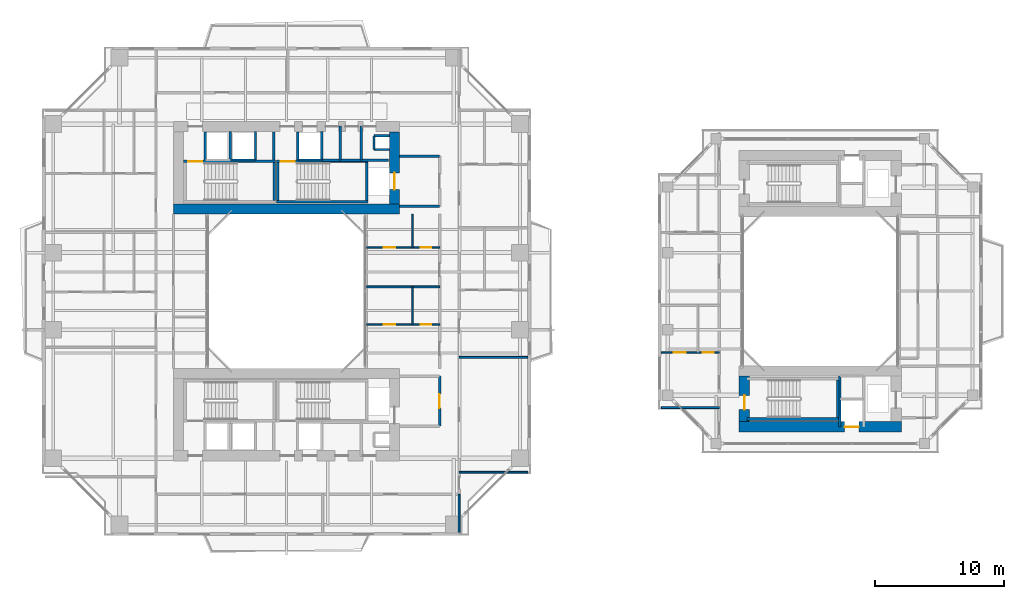
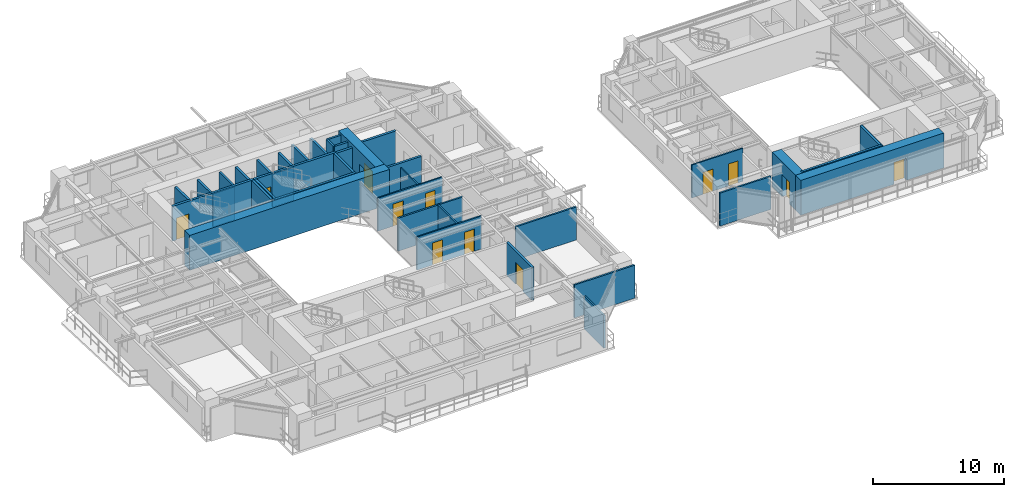
# One storey, part 15 of 23: 40 walls, 12 doors, 12 openings.
"""IFC4 building model written with IfcOpenShell, lengths in metres."""

from ifc_helpers import new_model, si_unit, direction, frame, frame_2d, origin, place, context, subcontext, project, spatial, rectangle, extrude, source, transform, mapped, material, layer, layer_set, type_object, element, fill, save


model = new_model("IFC4")

# Units and contexts
model_context = context("Model", 3, precision=1e-05, world=origin(), true_north=direction((0.0, 1.0)))
body_context = subcontext(model_context, "Body", "Model", "MODEL_VIEW")
ifc_project = project(units=[si_unit("LENGTHUNIT", "METRE"), si_unit("AREAUNIT", "SQUARE_METRE"), si_unit("VOLUMEUNIT", "CUBIC_METRE"), si_unit("PLANEANGLEUNIT", "RADIAN"), si_unit("MASSUNIT", "GRAM", prefix="KILO"), si_unit("THERMODYNAMICTEMPERATUREUNIT", "KELVIN"), si_unit("POWERUNIT", "WATT")], contexts=[model_context])

# Site, building, storey
site_placement = place(None, origin())
site = spatial("IfcSite", under=ifc_project, at=site_placement, CompositionType="ELEMENT")
building_placement = place(site_placement, origin())
building = spatial("IfcBuilding", under=site, at=building_placement, Name="Qiaomeng Ring Towers", CompositionType="ELEMENT")
storey_placement = place(building_placement, frame((0.0, 0.0, 79.5)))
storey = spatial("IfcBuildingStorey", under=building, at=storey_placement, Name="L22", CompositionType="ELEMENT", Elevation=79.5)

# Walls
ifc_material_1 = material(Name="Autoclaved aerated concrete block", Category="concrete")
ifc_layer_1 = layer(ifc_material_1, 0.199951171875, Name="Autoclaved aerated concrete block")
ifc_layer_set_1 = layer_set([ifc_layer_1], Name="Autoclaved aerated concrete block")
wall_type_1 = type_object("IfcWallType", Name="ARC-WL-PW1", PredefinedType="PARTITIONING", material=ifc_layer_set_1)
for number, where, z_axis, x_axis, name in (
    (1, (27.800048828125, 29.60009765625, 0.0), (0.0, 0.0, 1.0), (1.0, 0.0, 0.0), "L22 Interior Wall PW1"),
    (2, (27.800048828125, 33.5, 0.0), (0.0, 0.0, 1.0), (1.0, 0.0, 0.0), "L22 Interior Wall PW1"),
):
    element("IfcWall", number, at=place(storey_placement, frame(where, z_axis=z_axis, x_axis=x_axis)), inside=storey, type_object=wall_type_1, Name=name, PredefinedType="PARTITIONING", context=body_context, shape_type="SweptSolid", body=[
        extrude(rectangle(XDim=3.099853515625, YDim=0.199951171875, at=frame_2d((1.5498046875, 0.0))), origin(), (0.0, 0.0, 1.0), 3.070068359375),
    ])

# Wall, opening, door
wall_1_placement = place(storey_placement, frame((30.89990234375, 12.5, 0.0), z_axis=(0.0, 0.0, 1.0), x_axis=(0.0, 1.0, 0.0)))
wall_1 = element("IfcWall", 3, at=wall_1_placement, inside=storey, type_object=wall_type_1, Name="L22 Interior Wall PW1", PredefinedType="PARTITIONING", context=body_context, shape_type="SweptSolid", body=[
    extrude(rectangle(XDim=3.89990234375, YDim=0.199951171875, at=frame_2d((1.949951171875, 0.0))), origin(), (0.0, 0.0, 1.0), 3.070068359375),
])
opening_1_placement = place(wall_1_placement, frame((1.39990234375, 0.0, 0.0)))
opening_1 = element("IfcOpeningElement", 4, at=opening_1_placement, cuts=wall_1, Name="Opening FD3", PredefinedType="OPENING", context=body_context, shape_type="SweptSolid", body=[
    extrude(rectangle(XDim=1.10009765625, YDim=2.050048828125, at=frame_2d((0.550048828125, 1.02490234375))), frame((0.0, 0.10986328125, 0.0), z_axis=(0.0, -1.0, 0.0), x_axis=(1.0, 0.0, 0.0)), (0.0, 0.0, 1.0), 0.219970703125),
])
ifc_material_2 = material(Name="Galvanised steel", Category="steel")
door_type_1 = type_object("IfcDoorType", Name="ARC-DR-FD3", OperationType="NOTDEFINED", PredefinedType="DOOR", material=ifc_material_2)
shared_shape_1 = source(origin(), body_context, "Body", "SweptSolid", [
    extrude(rectangle(XDim=1.10009765625, YDim=2.050048828125, at=frame_2d((0.550048828125, 1.02490234375))), frame((0.0, 0.02490234375, 0.0), z_axis=(0.0, -1.0, 0.0), x_axis=(1.0, 0.0, 0.0)), (0.0, 0.0, 1.0), 0.050048828125),
])
door_1_placement = place(opening_1_placement, origin())
door_1 = element("IfcDoor", 5, at=door_1_placement, inside=storey, type_object=door_type_1, Name="L22 South FF Lobby Door", OperationType="SINGLE_SWING_LEFT", OverallHeight=2.050048828125, OverallWidth=1.10009765625, PredefinedType="DOOR", context=body_context, shape_type="MappedRepresentation", body=[
    mapped(shared_shape_1, transform((0.0, 0.0, 0.0), x_axis=(1.0, 0.0, 0.0), y_axis=(0.0, 1.0, 0.0), z_axis=(0.0, 0.0, 1.0), scale=1.0)),
])
fill(opening_1, door_1)

# Walls
for number, where, z_axis, x_axis, name in (
    (6, (12.679931640625, 33.18994140625, 0.0), (0.0, 0.0, 1.0), (0.0, 1.0, 0.0), "L22 Interior Wall PW1"),
    (7, (18.0, 33.18994140625, 0.0), (0.0, 0.0, 1.0), (0.0, 1.0, 0.0), "L22 Interior Wall PW1"),
    (8, (19.8798828125, 33.18994140625, 0.0), (0.0, 0.0, 1.0), (0.0, 1.0, 0.0), "L22 Interior Wall PW1"),
):
    element("IfcWall", number, at=place(storey_placement, frame(where, z_axis=z_axis, x_axis=x_axis)), inside=storey, type_object=wall_type_1, Name=name, PredefinedType="PARTITIONING", context=body_context, shape_type="SweptSolid", body=[
        extrude(rectangle(XDim=2.2099609375, YDim=0.199951171875, at=frame_2d((1.10498046875, 0.0))), origin(), (0.0, 0.0, 1.0), 3.070068359375),
    ])
wall_2_placement = place(storey_placement, frame((24.820068359375, 33.199951171875, 0.0), z_axis=(0.0, 0.0, 1.0), x_axis=(0.0, 1.0, 0.0)))
element("IfcWall", 9, at=wall_2_placement, inside=storey, type_object=wall_type_1, Name="L22 Interior Wall PW1", PredefinedType="PARTITIONING", context=body_context, shape_type="SweptSolid", body=[
    extrude(rectangle(XDim=2.650146484375, YDim=0.199951171875, at=frame_2d((1.3251953125, 0.0))), origin(), (0.0, 0.0, 1.0), 3.070068359375),
])
wall_3_placement = place(storey_placement, frame((21.75, 33.199951171875, 0.0), z_axis=(0.0, 0.0, 1.0), x_axis=(0.0, 1.0, 0.0)))
element("IfcWall", 10, at=wall_3_placement, inside=storey, type_object=wall_type_1, Name="L22 Interior Wall PW1", PredefinedType="PARTITIONING", context=body_context, shape_type="SweptSolid", body=[
    extrude(rectangle(XDim=2.199951171875, YDim=0.199951171875, at=frame_2d((1.10009765625, 0.0))), origin(), (0.0, 0.0, 1.0), 3.070068359375),
])
wall_4_placement = place(storey_placement, frame((23.169921875, 33.199951171875, 0.0), z_axis=(0.0, 0.0, 1.0), x_axis=(0.0, 1.0, 0.0)))
element("IfcWall", 11, at=wall_4_placement, inside=storey, type_object=wall_type_1, Name="L22 Interior Wall PW1", PredefinedType="PARTITIONING", context=body_context, shape_type="SweptSolid", body=[
    extrude(rectangle(XDim=2.650146484375, YDim=0.199951171875, at=frame_2d((1.3251953125, 0.0))), origin(), (0.0, 0.0, 1.0), 3.070068359375),
])
wall_5_placement = place(storey_placement, frame((21.75, 33.199951171875, 0.0), z_axis=(0.0, 0.0, 1.0), x_axis=(1.0, 0.0, 0.0)))
element("IfcWall", 12, at=wall_5_placement, inside=storey, type_object=wall_type_1, Name="L22 Interior Wall PW1", PredefinedType="PARTITIONING", context=body_context, shape_type="SweptSolid", body=[
    extrude(rectangle(XDim=5.169921875, YDim=0.199951171875, at=frame_2d((2.5849609375, 0.0))), origin(), (0.0, 0.0, 1.0), 3.070068359375),
])
ifc_material_3 = material(Name="Gypsum fireboard steel-stud partition", Category="steel")
ifc_layer_2 = layer(ifc_material_3, 0.14990234375, Name="Gypsum fireboard steel-stud partition")
ifc_layer_set_2 = layer_set([ifc_layer_2], Name="Gypsum fireboard steel-stud partition")
wall_type_2 = type_object("IfcWallType", Name="ARC-WL-PW3", PredefinedType="PARTITIONING", material=ifc_layer_set_2)
wall_6_placement = place(storey_placement, frame((32.419921875, 4.25, 0.0), z_axis=(0.0, 0.0, 1.0), x_axis=(0.0, 1.0, 0.0)))
element("IfcWall", 13, at=wall_6_placement, inside=storey, type_object=wall_type_2, Name="L22 Interior Wall PW3", PredefinedType="PARTITIONING", context=body_context, shape_type="SweptSolid", body=[
    extrude(rectangle(XDim=2.9599609375, YDim=0.14990234375, at=frame_2d((1.47998046875, 0.0))), origin(), (0.0, 0.0, 1.0), 3.070068359375),
])
for number, where, z_axis, x_axis, name in (
    (14, (32.419921875, 8.919921875, 0.0), (0.0, 0.0, 1.0), (1.0, 0.0, 0.0), "L22 Interior Wall PW3"),
    (15, (32.419921875, 17.85009765625, 0.0), (0.0, 0.0, 1.0), (1.0, 0.0, 0.0), "L22 Interior Wall PW3"),
):
    element("IfcWall", number, at=place(storey_placement, frame(where, z_axis=z_axis, x_axis=x_axis)), inside=storey, type_object=wall_type_2, Name=name, PredefinedType="PARTITIONING", context=body_context, shape_type="SweptSolid", body=[
        extrude(rectangle(XDim=5.330078125, YDim=0.14990234375, at=frame_2d((2.6650390625, 0.0))), origin(), (0.0, 0.0, 1.0), 3.070068359375),
    ])
wall_7_placement = place(storey_placement, frame((25.219970703125, 23.330078125, 0.0), z_axis=(0.0, 0.0, 1.0), x_axis=(1.0, 0.0, 0.0)))
element("IfcWall", 16, at=wall_7_placement, inside=storey, type_object=wall_type_2, Name="L22 Interior Wall PW3", PredefinedType="PARTITIONING", context=body_context, shape_type="SweptSolid", body=[
    extrude(rectangle(XDim=5.679931640625, YDim=0.14990234375, at=frame_2d((2.83984375, 0.0))), origin(), (0.0, 0.0, 1.0), 3.070068359375),
])
wall_8_placement = place(storey_placement, frame((48.14990234375, 13.949951171875, 0.0), z_axis=(0.0, 0.0, 1.0), x_axis=(1.0, 0.0, 0.0)))
element("IfcWall", 17, at=wall_8_placement, inside=storey, type_object=wall_type_2, Name="L22 Interior Wall PW3", PredefinedType="PARTITIONING", context=body_context, shape_type="SweptSolid", body=[
    extrude(rectangle(XDim=4.5, YDim=0.14990234375, at=frame_2d((2.25, 0.0))), origin(), (0.0, 0.0, 1.0), 3.070068359375),
])

# Wall, openings, doors
ifc_material_4 = material(Name="Moisture-resistant gypsum steel-stud partition", Category="steel")
ifc_layer_3 = layer(ifc_material_4, 0.1201171875, Name="Moisture-resistant gypsum steel-stud partition")
ifc_layer_set_3 = layer_set([ifc_layer_3], Name="Moisture-resistant gypsum steel-stud partition")
wall_type_3 = type_object("IfcWallType", Name="ARC-WL-PW4", PredefinedType="PLUMBINGWALL", material=ifc_layer_set_3)
wall_9_placement = place(storey_placement, frame((25.219970703125, 20.419921875, 0.0), z_axis=(0.0, 0.0, 1.0), x_axis=(1.0, 0.0, 0.0)))
wall_9 = element("IfcWall", 18, at=wall_9_placement, inside=storey, type_object=wall_type_3, Name="L22 Interior Wall PW4", PredefinedType="PLUMBINGWALL", context=body_context, shape_type="SweptSolid", body=[
    extrude(rectangle(XDim=5.679931640625, YDim=0.1201171875, at=frame_2d((2.83984375, 0.0))), origin(), (0.0, 0.0, 1.0), 3.070068359375),
])
opening_2_placement = place(wall_9_placement, frame((1.35009765625, 0.0, 0.0)))
opening_2 = element("IfcOpeningElement", 19, at=opening_2_placement, cuts=wall_9, Name="Opening ID1", PredefinedType="OPENING", context=body_context, shape_type="SweptSolid", body=[
    extrude(rectangle(XDim=0.89990234375, YDim=2.050048828125, at=frame_2d((0.449951171875, 1.02490234375))), frame((0.0, 0.070068359375, 0.0), z_axis=(0.0, -1.0, 0.0), x_axis=(1.0, 0.0, 0.0)), (0.0, 0.0, 1.0), 0.14013671875),
])
opening_3_placement = place(wall_9_placement, frame((4.195068359375, 0.0, 0.0)))
opening_3 = element("IfcOpeningElement", 20, at=opening_3_placement, cuts=wall_9, Name="Opening ID2", PredefinedType="OPENING", context=body_context, shape_type="SweptSolid", body=[
    extrude(rectangle(XDim=0.85009765625, YDim=2.050048828125, at=frame_2d((0.425048828125, 1.02490234375))), frame((0.0, 0.070068359375, 0.0), z_axis=(0.0, -1.0, 0.0), x_axis=(1.0, 0.0, 0.0)), (0.0, 0.0, 1.0), 0.14013671875),
])
ifc_material_5 = material(Name="Moisture-resistant engineered timber", Category="wood")
door_type_2 = type_object("IfcDoorType", Name="ARC-DR-ID2", OperationType="NOTDEFINED", PredefinedType="DOOR", material=ifc_material_5)
shared_shape_2 = source(origin(), body_context, "Body", "SweptSolid", [
    extrude(rectangle(XDim=0.85009765625, YDim=2.050048828125, at=frame_2d((0.425048828125, 1.02490234375))), frame((0.0, 0.02490234375, 0.0), z_axis=(0.0, -1.0, 0.0), x_axis=(1.0, 0.0, 0.0)), (0.0, 0.0, 1.0), 0.050048828125),
])
door_2_placement = place(opening_3_placement, origin())
door_2 = element("IfcDoor", 21, at=door_2_placement, inside=storey, type_object=door_type_2, Name="L22 Door ID2", OperationType="SINGLE_SWING_RIGHT", OverallHeight=2.050048828125, OverallWidth=0.85009765625, PredefinedType="DOOR", context=body_context, shape_type="MappedRepresentation", body=[
    mapped(shared_shape_2, transform((0.0, 0.0, 0.0), x_axis=(1.0, 0.0, 0.0), y_axis=(0.0, 1.0, 0.0), z_axis=(0.0, 0.0, 1.0), scale=1.0)),
])
fill(opening_3, door_2)
ifc_material_6 = material(Name="Engineered oak timber", Category="wood")
door_type_3 = type_object("IfcDoorType", Name="ARC-DR-ID1", OperationType="NOTDEFINED", PredefinedType="DOOR", material=ifc_material_6)
shared_shape_3 = source(origin(), body_context, "Body", "SweptSolid", [
    extrude(rectangle(XDim=0.89990234375, YDim=2.050048828125, at=frame_2d((0.449951171875, 1.02490234375))), frame((0.0, 0.02490234375, 0.0), z_axis=(0.0, -1.0, 0.0), x_axis=(1.0, 0.0, 0.0)), (0.0, 0.0, 1.0), 0.050048828125),
])
door_3_placement = place(opening_2_placement, origin())
door_3 = element("IfcDoor", 22, at=door_3_placement, inside=storey, type_object=door_type_3, Name="L22 Door ID1", OperationType="SINGLE_SWING_LEFT", OverallHeight=2.050048828125, OverallWidth=0.89990234375, PredefinedType="DOOR", context=body_context, shape_type="MappedRepresentation", body=[
    mapped(shared_shape_3, transform((0.0, 0.0, 0.0), x_axis=(1.0, 0.0, 0.0), y_axis=(0.0, 1.0, 0.0), z_axis=(0.0, 0.0, 1.0), scale=1.0)),
])
fill(opening_2, door_3)

# Wall
wall_10_placement = place(storey_placement, frame((28.800048828125, 20.419921875, 0.0), z_axis=(0.0, 0.0, 1.0), x_axis=(0.0, 1.0, 0.0)))
element("IfcWall", 23, at=wall_10_placement, inside=storey, type_object=wall_type_3, Name="L22 Interior Wall PW4", PredefinedType="PLUMBINGWALL", context=body_context, shape_type="SweptSolid", body=[
    extrude(rectangle(XDim=2.91015625, YDim=0.1201171875, at=frame_2d((1.455078125, 0.0))), origin(), (0.0, 0.0, 1.0), 3.070068359375),
])

# Wall, openings, doors
wall_11_placement = place(storey_placement, frame((25.219970703125, 26.389892578125, 0.0), z_axis=(0.0, 0.0, 1.0), x_axis=(1.0, 0.0, 0.0)))
wall_11 = element("IfcWall", 24, at=wall_11_placement, inside=storey, type_object=wall_type_3, Name="L22 Interior Wall PW4", PredefinedType="PLUMBINGWALL", context=body_context, shape_type="SweptSolid", body=[
    extrude(rectangle(XDim=5.679931640625, YDim=0.1201171875, at=frame_2d((2.83984375, 0.0))), origin(), (0.0, 0.0, 1.0), 3.070068359375),
])
opening_4_placement = place(wall_11_placement, frame((1.35009765625, 0.0, 0.0)))
opening_4 = element("IfcOpeningElement", 25, at=opening_4_placement, cuts=wall_11, Name="Opening ID1", PredefinedType="OPENING", context=body_context, shape_type="SweptSolid", body=[
    extrude(rectangle(XDim=0.89990234375, YDim=2.050048828125, at=frame_2d((0.449951171875, 1.02490234375))), frame((0.0, 0.070068359375, 0.0), z_axis=(0.0, -1.0, 0.0), x_axis=(1.0, 0.0, 0.0)), (0.0, 0.0, 1.0), 0.14013671875),
])
opening_5_placement = place(wall_11_placement, frame((4.195068359375, 0.0, 0.0)))
opening_5 = element("IfcOpeningElement", 26, at=opening_5_placement, cuts=wall_11, Name="Opening ID2", PredefinedType="OPENING", context=body_context, shape_type="SweptSolid", body=[
    extrude(rectangle(XDim=0.85009765625, YDim=2.050048828125, at=frame_2d((0.425048828125, 1.02490234375))), frame((0.0, 0.070068359375, 0.0), z_axis=(0.0, -1.0, 0.0), x_axis=(1.0, 0.0, 0.0)), (0.0, 0.0, 1.0), 0.14013671875),
])
door_4_placement = place(opening_5_placement, origin())
door_4 = element("IfcDoor", 27, at=door_4_placement, inside=storey, type_object=door_type_2, Name="L22 Door ID2", OperationType="SINGLE_SWING_RIGHT", OverallHeight=2.050048828125, OverallWidth=0.85009765625, PredefinedType="DOOR", context=body_context, shape_type="MappedRepresentation", body=[
    mapped(shared_shape_2, transform((0.0, 0.0, 0.0), x_axis=(1.0, 0.0, 0.0), y_axis=(0.0, 1.0, 0.0), z_axis=(0.0, 0.0, 1.0), scale=1.0)),
])
fill(opening_5, door_4)
door_5_placement = place(opening_4_placement, origin())
door_5 = element("IfcDoor", 28, at=door_5_placement, inside=storey, type_object=door_type_3, Name="L22 Door ID1", OperationType="SINGLE_SWING_LEFT", OverallHeight=2.050048828125, OverallWidth=0.89990234375, PredefinedType="DOOR", context=body_context, shape_type="MappedRepresentation", body=[
    mapped(shared_shape_3, transform((0.0, 0.0, 0.0), x_axis=(1.0, 0.0, 0.0), y_axis=(0.0, 1.0, 0.0), z_axis=(0.0, 0.0, 1.0), scale=1.0)),
])
fill(opening_4, door_5)

# Wall
wall_12_placement = place(storey_placement, frame((28.800048828125, 26.389892578125, 0.0), z_axis=(0.0, 0.0, 1.0), x_axis=(0.0, 1.0, 0.0)))
element("IfcWall", 29, at=wall_12_placement, inside=storey, type_object=wall_type_3, Name="L22 Interior Wall PW4", PredefinedType="PLUMBINGWALL", context=body_context, shape_type="SweptSolid", body=[
    extrude(rectangle(XDim=2.610107421875, YDim=0.1201171875, at=frame_2d((1.30517578125, 0.0))), origin(), (0.0, 0.0, 1.0), 3.070068359375),
])

# Wall, openings, doors
wall_13_placement = place(storey_placement, frame((48.14990234375, 18.239990234375, 0.0), z_axis=(0.0, 0.0, 1.0), x_axis=(1.0, 0.0, 0.0)))
wall_13 = element("IfcWall", 30, at=wall_13_placement, inside=storey, type_object=wall_type_3, Name="L22 Interior Wall PW4", PredefinedType="PLUMBINGWALL", context=body_context, shape_type="SweptSolid", body=[
    extrude(rectangle(XDim=4.5, YDim=0.1201171875, at=frame_2d((2.25, 0.0))), origin(), (0.0, 0.0, 1.0), 3.070068359375),
])
opening_6_placement = place(wall_13_placement, frame((0.97509765625, 0.0, 0.0)))
opening_6 = element("IfcOpeningElement", 31, at=opening_6_placement, cuts=wall_13, Name="Opening ID1", PredefinedType="OPENING", context=body_context, shape_type="SweptSolid", body=[
    extrude(rectangle(XDim=0.89990234375, YDim=2.050048828125, at=frame_2d((0.449951171875, 1.02490234375))), frame((0.0, 0.070068359375, 0.0), z_axis=(0.0, -1.0, 0.0), x_axis=(1.0, 0.0, 0.0)), (0.0, 0.0, 1.0), 0.14013671875),
])
opening_7_placement = place(wall_13_placement, frame((3.22998046875, 0.0, 0.0)))
opening_7 = element("IfcOpeningElement", 32, at=opening_7_placement, cuts=wall_13, Name="Opening ID2", PredefinedType="OPENING", context=body_context, shape_type="SweptSolid", body=[
    extrude(rectangle(XDim=0.85009765625, YDim=2.050048828125, at=frame_2d((0.425048828125, 1.02490234375))), frame((0.0, 0.070068359375, 0.0), z_axis=(0.0, -1.0, 0.0), x_axis=(1.0, 0.0, 0.0)), (0.0, 0.0, 1.0), 0.14013671875),
])
door_6_placement = place(opening_7_placement, origin())
door_6 = element("IfcDoor", 33, at=door_6_placement, inside=storey, type_object=door_type_2, Name="L22 Door ID2", OperationType="SINGLE_SWING_RIGHT", OverallHeight=2.050048828125, OverallWidth=0.85009765625, PredefinedType="DOOR", context=body_context, shape_type="MappedRepresentation", body=[
    mapped(shared_shape_2, transform((0.0, 0.0, 0.0), x_axis=(1.0, 0.0, 0.0), y_axis=(0.0, 1.0, 0.0), z_axis=(0.0, 0.0, 1.0), scale=1.0)),
])
fill(opening_7, door_6)
door_7_placement = place(opening_6_placement, origin())
door_7 = element("IfcDoor", 34, at=door_7_placement, inside=storey, type_object=door_type_3, Name="L22 Door ID1", OperationType="SINGLE_SWING_LEFT", OverallHeight=2.050048828125, OverallWidth=0.89990234375, PredefinedType="DOOR", context=body_context, shape_type="MappedRepresentation", body=[
    mapped(shared_shape_3, transform((0.0, 0.0, 0.0), x_axis=(1.0, 0.0, 0.0), y_axis=(0.0, 1.0, 0.0), z_axis=(0.0, 0.0, 1.0), scale=1.0)),
])
fill(opening_6, door_7)

# Walls
ifc_material_7 = material(Name="Concrete C40", Category="concrete")
ifc_layer_4 = layer(ifc_material_7, 0.199951171875, Name="Concrete C40")
ifc_layer_set_4 = layer_set([ifc_layer_4], Name="Concrete C40")
wall_type_4 = type_object("IfcWallType", Name="STR-WL-STSHAFT", PredefinedType="SHEAR", material=ifc_layer_set_4)
wall_14_placement = place(storey_placement, frame((14.6201171875, 33.199951171875, 0.0), z_axis=(0.0, 0.0, 1.0), x_axis=(0.0, 1.0, 0.0)))
element("IfcWall", 35, at=wall_14_placement, inside=storey, type_object=wall_type_4, Name="L22 Lift LP5-LP3 Shaft Divider Wall", PredefinedType="SHEAR", context=body_context, shape_type="SweptSolid", body=[
    extrude(rectangle(XDim=2.199951171875, YDim=0.179931640625, at=frame_2d((1.10009765625, 0.0))), origin(), (0.0, 0.0, 1.0), 3.070068359375),
])
wall_15_placement = place(storey_placement, frame((25.800048828125, 34.02001953125, 0.0), z_axis=(0.0, 0.0, 1.0), x_axis=(0.0, 1.0, 0.0)))
element("IfcWall", 36, at=wall_15_placement, inside=storey, type_object=wall_type_4, Name="L22 Riser RSR1 West Shaft Wall N", PredefinedType="SHEAR", context=body_context, shape_type="SweptSolid", body=[
    extrude(rectangle(XDim=1.06005859375, YDim=0.179931640625, at=frame_2d((0.530029296875, 0.0))), origin(), (0.0, 0.0, 1.0), 3.070068359375),
])
for number, where, z_axis, x_axis, name in (
    (37, (25.800048828125, 35.080078125, 0.0), (0.0, 0.0, 1.0), (1.0, 0.0, 0.0), "L22 Riser RSR1 North Shaft Wall N"),
    (38, (25.800048828125, 34.02001953125, 0.0), (0.0, 0.0, 1.0), (1.0, 0.0, 0.0), "L22 Riser RSR1 South Shaft Wall N"),
):
    element("IfcWall", number, at=place(storey_placement, frame(where, z_axis=z_axis, x_axis=x_axis)), inside=storey, type_object=wall_type_4, Name=name, PredefinedType="SHEAR", context=body_context, shape_type="SweptSolid", body=[
        extrude(rectangle(XDim=1.199951171875, YDim=0.179931640625, at=frame_2d((0.60009765625, 0.0))), origin(), (0.0, 0.0, 1.0), 3.070068359375),
    ])
wall_16_placement = place(storey_placement, frame((14.6201171875, 33.199951171875, 0.0), z_axis=(0.0, 0.0, 1.0), x_axis=(1.0, 0.0, 0.0)))
element("IfcWall", 39, at=wall_16_placement, inside=storey, type_object=wall_type_4, Name="L22 Lift LP3 Shaft Back Wall", PredefinedType="SHEAR", context=body_context, shape_type="SweptSolid", body=[
    extrude(rectangle(XDim=1.9599609375, YDim=0.179931640625, at=frame_2d((0.97998046875, 0.0))), origin(), (0.0, 0.0, 1.0), 3.070068359375),
])
wall_17_placement = place(storey_placement, frame((16.580078125, 33.199951171875, 0.0), z_axis=(0.0, 0.0, 1.0), x_axis=(0.0, 1.0, 0.0)))
element("IfcWall", 40, at=wall_17_placement, inside=storey, type_object=wall_type_4, Name="L22 Lift LP3 East Shaft Wall", PredefinedType="SHEAR", context=body_context, shape_type="SweptSolid", body=[
    extrude(rectangle(XDim=2.199951171875, YDim=0.179931640625, at=frame_2d((1.10009765625, 0.0))), origin(), (0.0, 0.0, 1.0), 3.070068359375),
])
wall_18_placement = place(storey_placement, frame((19.8798828125, 33.199951171875, 0.0), z_axis=(0.0, 0.0, 1.0), x_axis=(1.0, 0.0, 0.0)))
element("IfcWall", 41, at=wall_18_placement, inside=storey, type_object=wall_type_4, Name="L22 Lift LP1 Shaft Back Wall", PredefinedType="SHEAR", context=body_context, shape_type="SweptSolid", body=[
    extrude(rectangle(XDim=1.8701171875, YDim=0.179931640625, at=frame_2d((0.93505859375, 0.0))), origin(), (0.0, 0.0, 1.0), 3.070068359375),
])
wall_19_placement = place(storey_placement, frame((62.02001953125, 12.449951171875, 0.0), z_axis=(0.0, 0.0, 1.0), x_axis=(0.0, 1.0, 0.0)))
element("IfcWall", 42, at=wall_19_placement, inside=storey, type_object=wall_type_4, Name="L22 Companion Lift Shaft West Wall S", PredefinedType="SHEAR", context=body_context, shape_type="SweptSolid", body=[
    extrude(rectangle(XDim=3.949951171875, YDim=0.179931640625, at=frame_2d((1.97509765625, 0.0))), origin(), (0.0, 0.0, 1.0), 3.070068359375),
])

# Wall, opening, door
wall_20_placement = place(storey_placement, frame((11.0, 33.090087890625, 0.0), z_axis=(0.0, 0.0, 1.0), x_axis=(1.0, 0.0, 0.0)))
wall_20 = element("IfcWall", 43, at=wall_20_placement, inside=storey, type_object=wall_type_4, Name="L22 Stair ST1 North Shaft Shear Wall", PredefinedType="SHEAR", context=body_context, shape_type="SweptSolid", body=[
    extrude(rectangle(XDim=7.14990234375, YDim=0.199951171875, at=frame_2d((3.574951171875, 0.0))), origin(), (0.0, 0.0, 1.0), 3.25),
])
opening_8_placement = place(wall_20_placement, frame((0.35009765625, 0.0, 0.0)))
opening_8 = element("IfcOpeningElement", 44, at=opening_8_placement, cuts=wall_20, Name="Opening FD3", PredefinedType="OPENING", context=body_context, shape_type="SweptSolid", body=[
    extrude(rectangle(XDim=1.10009765625, YDim=2.050048828125, at=frame_2d((0.550048828125, 1.02490234375))), frame((0.0, 0.10986328125, 0.0), z_axis=(0.0, -1.0, 0.0), x_axis=(1.0, 0.0, 0.0)), (0.0, 0.0, 1.0), 0.219970703125),
])
door_8_placement = place(opening_8_placement, origin())
door_8 = element("IfcDoor", 45, at=door_8_placement, inside=storey, type_object=door_type_1, Name="L22 Stair ST1 Exit Door", OperationType="SINGLE_SWING_LEFT", OverallHeight=2.050048828125, OverallWidth=1.10009765625, PredefinedType="DOOR", context=body_context, shape_type="MappedRepresentation", body=[
    mapped(shared_shape_1, transform((0.0, 0.0, 0.0), x_axis=(1.0, 0.0, 0.0), y_axis=(0.0, 1.0, 0.0), z_axis=(0.0, 0.0, 1.0), scale=1.0)),
])
fill(opening_8, door_8)

# Walls
wall_21_placement = place(storey_placement, frame((18.050048828125, 30.050048828125, 0.0), z_axis=(0.0, 0.0, 1.0), x_axis=(0.0, 1.0, 0.0)))
element("IfcWall", 46, at=wall_21_placement, inside=storey, type_object=wall_type_4, Name="L22 Stair ST1 East Shaft Shear Wall", PredefinedType="SHEAR", context=body_context, shape_type="SweptSolid", body=[
    extrude(rectangle(XDim=2.93994140625, YDim=0.199951171875, at=frame_2d((1.469970703125, 0.0))), origin(), (0.0, 0.0, 1.0), 3.25),
])
wall_22_placement = place(storey_placement, frame((18.199951171875, 29.949951171875, 0.0), z_axis=(0.0, 0.0, 1.0), x_axis=(1.0, 0.0, 0.0)))
element("IfcWall", 47, at=wall_22_placement, inside=storey, type_object=wall_type_4, Name="L22 Stair ST2 South Shaft Shear Wall", PredefinedType="SHEAR", context=body_context, shape_type="SweptSolid", body=[
    extrude(rectangle(XDim=7.150146484375, YDim=0.199951171875, at=frame_2d((3.5751953125, 0.0))), origin(), (0.0, 0.0, 1.0), 3.25),
])

# Wall, opening, door
wall_23_placement = place(storey_placement, frame((18.199951171875, 33.090087890625, 0.0), z_axis=(0.0, 0.0, 1.0), x_axis=(1.0, 0.0, 0.0)))
wall_23 = element("IfcWall", 48, at=wall_23_placement, inside=storey, type_object=wall_type_4, Name="L22 Stair ST2 North Shaft Shear Wall", PredefinedType="SHEAR", context=body_context, shape_type="SweptSolid", body=[
    extrude(rectangle(XDim=7.150146484375, YDim=0.199951171875, at=frame_2d((3.5751953125, 0.0))), origin(), (0.0, 0.0, 1.0), 3.25),
])
opening_9_placement = place(wall_23_placement, frame((0.35009765625, 0.0, 0.0)))
opening_9 = element("IfcOpeningElement", 49, at=opening_9_placement, cuts=wall_23, Name="Opening FD3", PredefinedType="OPENING", context=body_context, shape_type="SweptSolid", body=[
    extrude(rectangle(XDim=1.10009765625, YDim=2.050048828125, at=frame_2d((0.550048828125, 1.02490234375))), frame((0.0, 0.10986328125, 0.0), z_axis=(0.0, -1.0, 0.0), x_axis=(1.0, 0.0, 0.0)), (0.0, 0.0, 1.0), 0.219970703125),
])
door_9_placement = place(opening_9_placement, origin())
door_9 = element("IfcDoor", 50, at=door_9_placement, inside=storey, type_object=door_type_1, Name="L22 Stair ST2 Exit Door", OperationType="SINGLE_SWING_LEFT", OverallHeight=2.050048828125, OverallWidth=1.10009765625, PredefinedType="DOOR", context=body_context, shape_type="MappedRepresentation", body=[
    mapped(shared_shape_1, transform((0.0, 0.0, 0.0), x_axis=(1.0, 0.0, 0.0), y_axis=(0.0, 1.0, 0.0), z_axis=(0.0, 0.0, 1.0), scale=1.0)),
])
fill(opening_9, door_9)

# Walls
for number, where, z_axis, x_axis, name in (
    (51, (18.300048828125, 30.050048828125, 0.0), (0.0, 0.0, 1.0), (0.0, 1.0, 0.0), "L22 Stair ST2 West Shaft Shear Wall"),
    (52, (25.25, 30.050048828125, 0.0), (0.0, 0.0, 1.0), (0.0, 1.0, 0.0), "L22 Stair ST2 East Shaft Shear Wall"),
):
    element("IfcWall", number, at=place(storey_placement, frame(where, z_axis=z_axis, x_axis=x_axis)), inside=storey, type_object=wall_type_4, Name=name, PredefinedType="SHEAR", context=body_context, shape_type="SweptSolid", body=[
        extrude(rectangle(XDim=2.93994140625, YDim=0.199951171875, at=frame_2d((1.469970703125, 0.0))), origin(), (0.0, 0.0, 1.0), 3.25),
    ])
wall_24_placement = place(storey_placement, frame((54.800048828125, 13.06005859375, 0.0), z_axis=(0.0, 0.0, 1.0), x_axis=(1.0, 0.0, 0.0)))
element("IfcWall", 53, at=wall_24_placement, inside=storey, type_object=wall_type_4, Name="L22 Stair ST6 South Shaft Shear Wall", PredefinedType="SHEAR", context=body_context, shape_type="SweptSolid", body=[
    extrude(rectangle(XDim=7.14990234375, YDim=0.199951171875, at=frame_2d((3.574951171875, 0.0))), origin(), (0.0, 0.0, 1.0), 3.25),
])
wall_25_placement = place(storey_placement, frame((61.85009765625, 13.159912109375, 0.0), z_axis=(0.0, 0.0, 1.0), x_axis=(0.0, 1.0, 0.0)))
element("IfcWall", 54, at=wall_25_placement, inside=storey, type_object=wall_type_4, Name="L22 Stair ST6 East Shaft Shear Wall", PredefinedType="SHEAR", context=body_context, shape_type="SweptSolid", body=[
    extrude(rectangle(XDim=2.940185546875, YDim=0.199951171875, at=frame_2d((1.47021484375, 0.0))), origin(), (0.0, 0.0, 1.0), 3.25),
])
ifc_material_8 = material(Name="Concrete C60", Category="concrete")
ifc_layer_5 = layer(ifc_material_8, 0.800048828125, Name="Concrete C60")
ifc_layer_set_5 = layer_set([ifc_layer_5], Name="Concrete C60")
wall_type_5 = type_object("IfcWallType", Name="STR-WL-SW1", PredefinedType="SHEAR", material=ifc_layer_set_5)
wall_26_placement = place(storey_placement, frame((10.199951171875, 29.39990234375, 0.0), z_axis=(0.0, 0.0, 1.0), x_axis=(1.0, 0.0, 0.0)))
element("IfcWall", 55, at=wall_26_placement, inside=storey, type_object=wall_type_5, Name="L22 T1NC south core shear wall", PredefinedType="SHEAR", context=body_context, shape_type="SweptSolid", body=[
    extrude(rectangle(XDim=17.60009765625, YDim=0.800048828125, at=frame_2d((8.800048828125, 0.0))), origin(), (0.0, 0.0, 1.0), 3.25),
])

# Wall, opening, door
wall_27_placement = place(storey_placement, frame((27.39990234375, 29.800048828125, 0.0), z_axis=(0.0, 0.0, 1.0), x_axis=(0.0, 1.0, 0.0)))
wall_27 = element("IfcWall", 56, at=wall_27_placement, inside=storey, type_object=wall_type_5, Name="L22 T1NC east core shear wall", PredefinedType="SHEAR", context=body_context, shape_type="SweptSolid", body=[
    extrude(rectangle(XDim=5.599853515625, YDim=0.800048828125, at=frame_2d((2.7998046875, 0.0))), origin(), (0.0, 0.0, 1.0), 3.25),
])
opening_10_placement = place(wall_27_placement, frame((1.10009765625, 0.0, 0.0)))
opening_10 = element("IfcOpeningElement", 57, at=opening_10_placement, cuts=wall_27, Name="Opening LD2", PredefinedType="OPENING", context=body_context, shape_type="SweptSolid", body=[
    extrude(rectangle(XDim=1.300048828125, YDim=2.050048828125, at=frame_2d((0.64990234375, 1.02490234375))), frame((0.0, 0.409912109375, 0.0), z_axis=(0.0, -1.0, 0.0), x_axis=(1.0, 0.0, 0.0)), (0.0, 0.0, 1.0), 0.820068359375),
])
ifc_material_9 = material(Name="Stainless steel 316", Category="steel")
door_type_4 = type_object("IfcDoorType", Name="ARC-DR-LD2", OperationType="NOTDEFINED", PredefinedType="DOOR", material=ifc_material_9)
shared_shape_4 = source(origin(), body_context, "Body", "SweptSolid", [
    extrude(rectangle(XDim=1.300048828125, YDim=2.050048828125, at=frame_2d((0.64990234375, 1.02490234375))), frame((0.0, 0.02490234375, 0.0), z_axis=(0.0, -1.0, 0.0), x_axis=(1.0, 0.0, 0.0)), (0.0, 0.0, 1.0), 0.050048828125),
])
door_10_placement = place(opening_10_placement, origin())
door_10 = element("IfcDoor", 58, at=door_10_placement, inside=storey, type_object=door_type_4, Name="L22 Firefighting Lift FL1 Landing Door", OperationType="SLIDING_TO_LEFT", OverallHeight=2.050048828125, OverallWidth=1.300048828125, PredefinedType="DOOR", context=body_context, shape_type="MappedRepresentation", body=[
    mapped(shared_shape_4, transform((0.0, 0.0, 0.0), x_axis=(1.0, 0.0, 0.0), y_axis=(0.0, 1.0, 0.0), z_axis=(0.0, 0.0, 1.0), scale=1.0)),
])
fill(opening_10, door_10)

wall_28_placement = place(storey_placement, frame((54.199951171875, 12.449951171875, 0.0), z_axis=(0.0, 0.0, 1.0), x_axis=(1.0, 0.0, 0.0)))
wall_28 = element("IfcWall", 59, at=wall_28_placement, inside=storey, type_object=wall_type_5, Name="L22 T2SC south core shear wall", PredefinedType="SHEAR", context=body_context, shape_type="SweptSolid", body=[
    extrude(rectangle(XDim=12.60009765625, YDim=0.800048828125, at=frame_2d((6.300048828125, 0.0))), origin(), (0.0, 0.0, 1.0), 3.25),
])
opening_11_placement = place(wall_28_placement, frame((8.199951171875, 0.0, 0.0)))
opening_11 = element("IfcOpeningElement", 60, at=opening_11_placement, cuts=wall_28, Name="Opening LD1", PredefinedType="OPENING", context=body_context, shape_type="SweptSolid", body=[
    extrude(rectangle(XDim=1.10009765625, YDim=2.050048828125, at=frame_2d((0.550048828125, 1.02490234375))), frame((0.0, 0.409912109375, 0.0), z_axis=(0.0, -1.0, 0.0), x_axis=(1.0, 0.0, 0.0)), (0.0, 0.0, 1.0), 0.820068359375),
])
door_type_5 = type_object("IfcDoorType", Name="ARC-DR-LD1", OperationType="NOTDEFINED", PredefinedType="DOOR", material=ifc_material_9)
door_11_placement = place(opening_11_placement, origin())
door_11 = element("IfcDoor", 61, at=door_11_placement, inside=storey, type_object=door_type_5, Name="L22 Companion Lift LP8 Landing Door", OperationType="SLIDING_TO_RIGHT", OverallHeight=2.050048828125, OverallWidth=1.10009765625, PredefinedType="DOOR", context=body_context, shape_type="MappedRepresentation", body=[
    mapped(shared_shape_1, transform((0.0, 0.0, 0.0), x_axis=(1.0, 0.0, 0.0), y_axis=(0.0, 1.0, 0.0), z_axis=(0.0, 0.0, 1.0), scale=1.0)),
])
fill(opening_11, door_11)

wall_29_placement = place(storey_placement, frame((54.60009765625, 12.85009765625, 0.0), z_axis=(0.0, 0.0, 1.0), x_axis=(0.0, 1.0, 0.0)))
wall_29 = element("IfcWall", 62, at=wall_29_placement, inside=storey, type_object=wall_type_5, Name="L22 T2SC west core shear wall", PredefinedType="SHEAR", context=body_context, shape_type="SweptSolid", body=[
    extrude(rectangle(XDim=3.5498046875, YDim=0.800048828125, at=frame_2d((1.77490234375, 0.0))), origin(), (0.0, 0.0, 1.0), 3.25),
])
opening_12_placement = place(wall_29_placement, frame((0.949951171875, 0.0, 0.0)))
opening_12 = element("IfcOpeningElement", 63, at=opening_12_placement, cuts=wall_29, Name="Opening FD3", PredefinedType="OPENING", context=body_context, shape_type="SweptSolid", body=[
    extrude(rectangle(XDim=1.10009765625, YDim=2.050048828125, at=frame_2d((0.550048828125, 1.02490234375))), frame((0.0, 0.409912109375, 0.0), z_axis=(0.0, -1.0, 0.0), x_axis=(1.0, 0.0, 0.0)), (0.0, 0.0, 1.0), 0.820068359375),
])
door_12_placement = place(opening_12_placement, origin())
door_12 = element("IfcDoor", 64, at=door_12_placement, inside=storey, type_object=door_type_1, Name="L22 Stair ST6 Exit Door", OperationType="SINGLE_SWING_RIGHT", OverallHeight=2.050048828125, OverallWidth=1.10009765625, PredefinedType="DOOR", context=body_context, shape_type="MappedRepresentation", body=[
    mapped(shared_shape_1, transform((0.0, 0.0, 0.0), x_axis=(1.0, 0.0, 0.0), y_axis=(0.0, 1.0, 0.0), z_axis=(0.0, 0.0, 1.0), scale=1.0)),
])
fill(opening_12, door_12)

save(model, "model.ifc")
